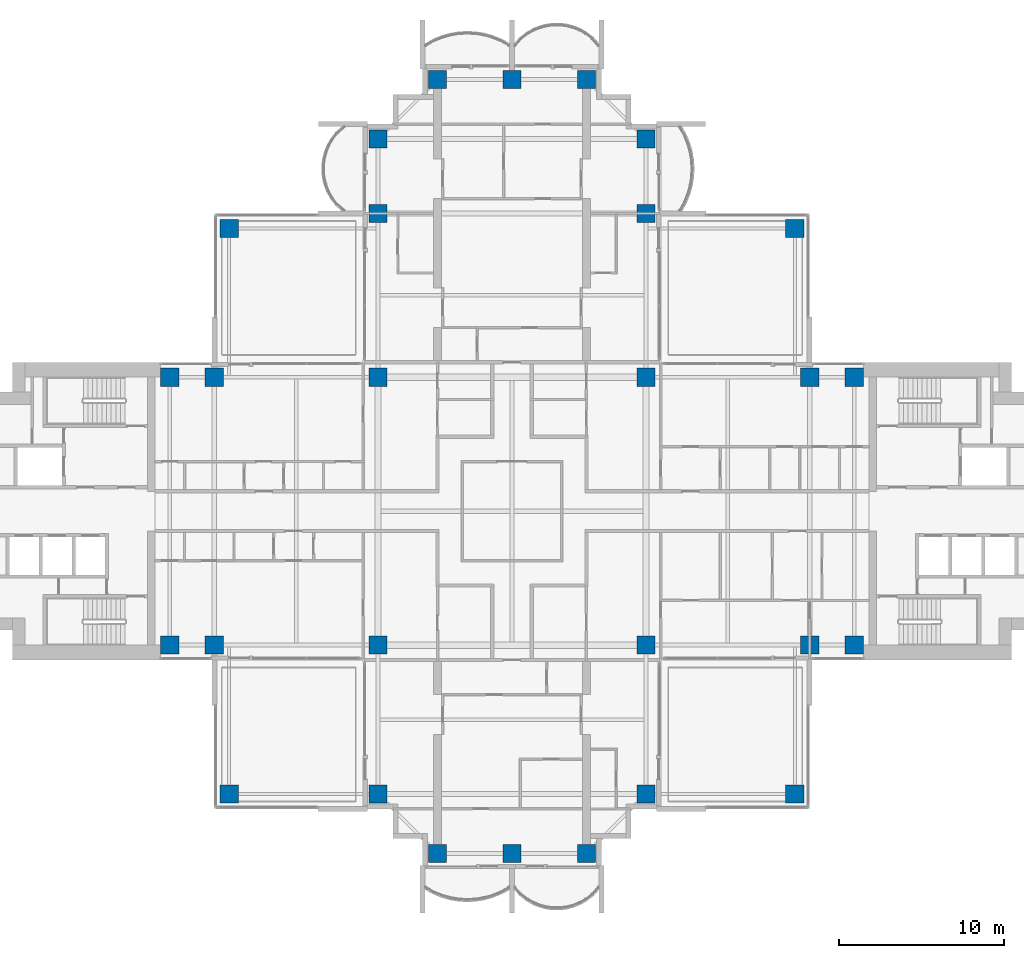
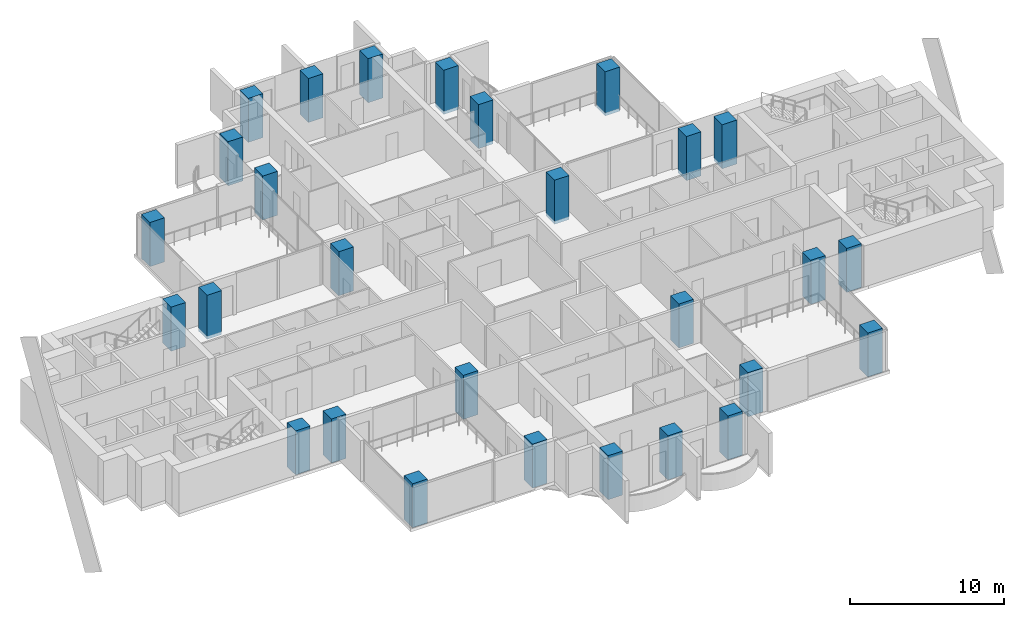
# One storey, part 1 of 19: 28 columns.
"""IFC4 building model written with IfcOpenShell, lengths in metres."""

from ifc_helpers import new_model, si_unit, direction, frame, origin, origin_2d, place, context, subcontext, project, spatial, rectangle, extrude, material, material_profile, profile_set, type_object, element, save


model = new_model("IFC4")

# Units and contexts
model_context = context("Model", 3, precision=1e-05, world=origin(), true_north=direction((0.0, 1.0)))
body_context = subcontext(model_context, "Body", "Model", "MODEL_VIEW")
ifc_project = project(units=[si_unit("LENGTHUNIT", "METRE"), si_unit("AREAUNIT", "SQUARE_METRE"), si_unit("VOLUMEUNIT", "CUBIC_METRE"), si_unit("PLANEANGLEUNIT", "RADIAN"), si_unit("MASSUNIT", "GRAM", prefix="KILO")], contexts=[model_context])

# Site, building, storey
site_placement = place(None, origin())
site = spatial("IfcSite", under=ifc_project, at=site_placement, CompositionType="ELEMENT")
building_placement = place(site_placement, origin())
building = spatial("IfcBuilding", under=site, at=building_placement, Name="Perihelion Cross Residences", CompositionType="ELEMENT")
storey_placement = place(building_placement, frame((0.0, 0.0, 109.39990234375)))
storey = spatial("IfcBuildingStorey", under=building, at=storey_placement, Name="L25", CompositionType="ELEMENT", Elevation=109.39990234375)

# Columns
ifc_material = material(Name="Concrete C60/75", Category="concrete")
ifc_material_profile = material_profile(ifc_material, rectangle(XDim=1.10009765625, YDim=1.10009765625, at=origin_2d()), Name="RC 1100x1100")
ifc_profile_set = profile_set([ifc_material_profile], Name="Concrete C60/75")
column_type = type_object("IfcColumnType", Name="Reinforced concrete column 1100x1100 C60/75", PredefinedType="COLUMN", material=ifc_profile_set)
for number, where, z_axis, x_axis, name in (
    (1, (-20.699951171875, -8.10009765625, -0.25), (0.0, 0.0, 1.0), (1.0, 0.0, 0.0), "Column C017 L25 no. 1"),
    (2, (-20.699951171875, 8.10009765625, -0.25), (0.0, 0.0, 1.0), (1.0, 0.0, 0.0), "Column C010 L25 no. 1"),
    (3, (-18.0, -8.10009765625, -0.25), (0.0, 0.0, 1.0), (1.0, 0.0, 0.0), "Column C018 L25 no. 1"),
    (4, (-18.0, 8.10009765625, -0.25), (0.0, 0.0, 1.0), (1.0, 0.0, 0.0), "Column C011 L25 no. 1"),
    (5, (-8.10009765625, -17.10009765625, -0.25), (0.0, 0.0, 1.0), (1.0, 0.0, 0.0), "Column C031 L25 no. 1"),
    (6, (-8.10009765625, -8.10009765625, -0.25), (0.0, 0.0, 1.0), (1.0, 0.0, 0.0), "Column C019 L25 no. 1"),
    (7, (-8.10009765625, 8.10009765625, -0.25), (0.0, 0.0, 1.0), (1.0, 0.0, 0.0), "Column C012 L25 no. 1"),
    (8, (-8.10009765625, 18.0, -0.25), (0.0, 0.0, 1.0), (1.0, 0.0, 0.0), "Column C006 L25 no. 1"),
    (9, (-8.10009765625, 22.5, -0.25), (0.0, 0.0, 1.0), (1.0, 0.0, 0.0), "Column C004 L25 no. 1"),
    (10, (-4.5, -20.699951171875, -0.25), (0.0, 0.0, 1.0), (1.0, 0.0, 0.0), "Column C037 L25 no. 1"),
    (11, (-4.5, 26.10009765625, -0.25), (0.0, 0.0, 1.0), (1.0, 0.0, 0.0), "Column C001 L25 no. 1"),
    (12, (0.0, -20.699951171875, -0.25), (0.0, 0.0, 1.0), (1.0, 0.0, 0.0), "Column C038 L25 no. 1"),
    (13, (0.0, 26.10009765625, -0.25), (0.0, 0.0, 1.0), (1.0, 0.0, 0.0), "Column C002 L25 no. 1"),
    (14, (4.5, -20.699951171875, -0.25), (0.0, 0.0, 1.0), (1.0, 0.0, 0.0), "Column C039 L25 no. 1"),
    (15, (4.5, 26.10009765625, -0.25), (0.0, 0.0, 1.0), (1.0, 0.0, 0.0), "Column C003 L25 no. 1"),
    (16, (8.10009765625, -17.10009765625, -0.25), (0.0, 0.0, 1.0), (1.0, 0.0, 0.0), "Column C035 L25 no. 1"),
    (17, (8.10009765625, -8.10009765625, -0.25), (0.0, 0.0, 1.0), (1.0, 0.0, 0.0), "Column C020 L25 no. 1"),
    (18, (8.10009765625, 8.10009765625, -0.25), (0.0, 0.0, 1.0), (1.0, 0.0, 0.0), "Column C014 L25 no. 1"),
    (19, (8.10009765625, 18.0, -0.25), (0.0, 0.0, 1.0), (1.0, 0.0, 0.0), "Column C007 L25 no. 1"),
    (20, (8.10009765625, 22.5, -0.25), (0.0, 0.0, 1.0), (1.0, 0.0, 0.0), "Column C005 L25 no. 1"),
    (21, (18.0, -8.10009765625, -0.25), (0.0, 0.0, 1.0), (1.0, 0.0, 0.0), "Column C021 L25 no. 1"),
    (22, (18.0, 8.10009765625, -0.25), (0.0, 0.0, 1.0), (1.0, 0.0, 0.0), "Column C015 L25 no. 1"),
    (23, (20.699951171875, -8.10009765625, -0.25), (0.0, 0.0, 1.0), (1.0, 0.0, 0.0), "Column C022 L25 no. 1"),
    (24, (20.699951171875, 8.10009765625, -0.25), (0.0, 0.0, 1.0), (1.0, 0.0, 0.0), "Column C016 L25 no. 1"),
    (25, (17.10009765625, 17.10009765625, -0.25), (0.0, 0.0, 1.0), (1.0, 0.0, 0.0), "Column C009 L25 no. 1"),
    (26, (-17.10009765625, 17.10009765625, -0.25), (0.0, 0.0, 1.0), (1.0, 0.0, 0.0), "Column C008 L25 no. 1"),
    (27, (-17.10009765625, -17.10009765625, -0.25), (0.0, 0.0, 1.0), (1.0, 0.0, 0.0), "Column C030 L25 no. 1"),
    (28, (17.10009765625, -17.10009765625, -0.25), (0.0, 0.0, 1.0), (1.0, 0.0, 0.0), "Column C036 L25 no. 1"),
):
    element("IfcColumn", number, at=place(storey_placement, frame(where, z_axis=z_axis, x_axis=x_axis)), inside=storey, type_object=column_type, Name=name, PredefinedType="COLUMN", context=body_context, shape_type="SweptSolid", body=[
        extrude(rectangle(XDim=1.10009765625, YDim=1.10009765625, at=origin_2d()), origin(), (0.0, 0.0, 1.0), 3.5),
    ])

save(model, "model.ifc")
